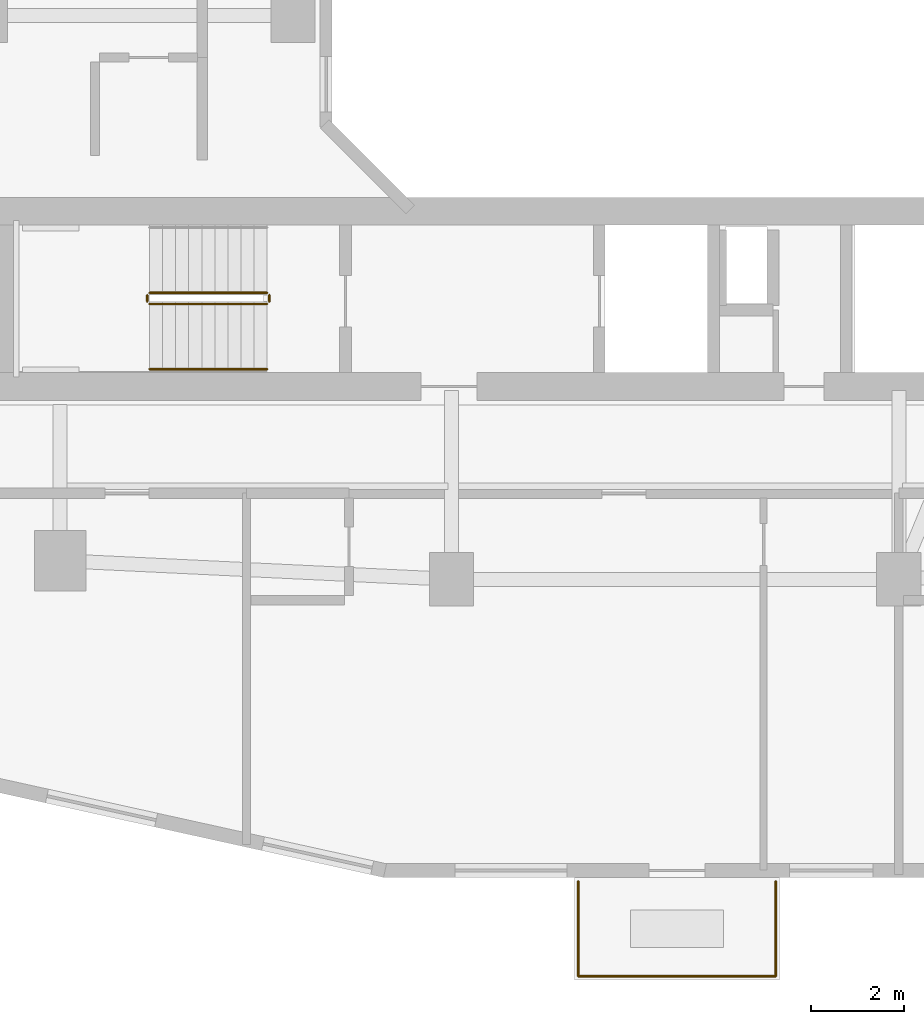
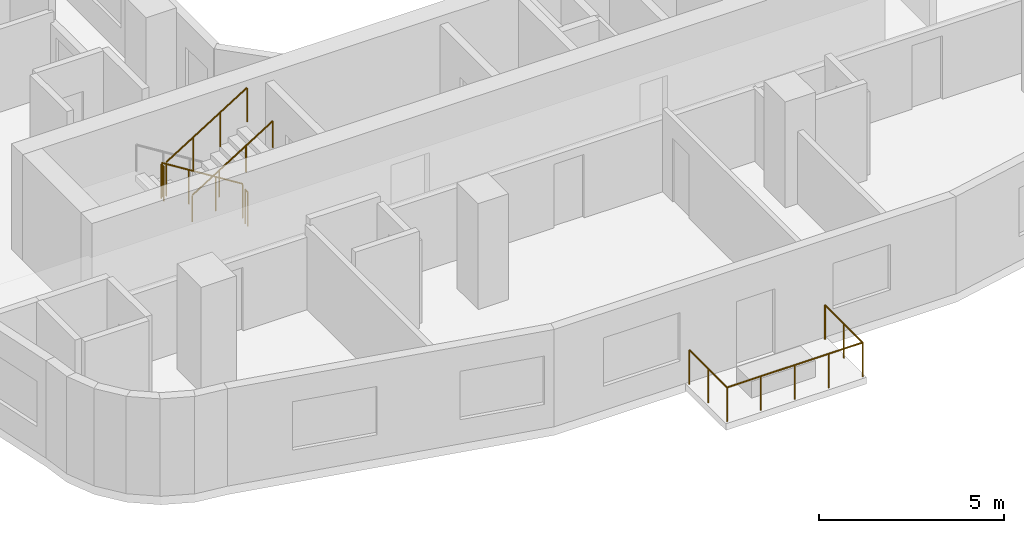
# One storey, part 18 of 22: 8 railings.
"""IFC4 building model written with IfcOpenShell, lengths in metres."""

from ifc_helpers import new_model, si_unit, derived_unit, direction, frame, origin, origin_2d, place, context, subcontext, project, spatial, circle, extrude, material, type_object, element, save


model = new_model("IFC4")

# Units and contexts
model_context = context("Model", 3, precision=1e-05, world=origin(), true_north=direction((0.0, 1.0)))
body_context = subcontext(model_context, "Body", "Model", "MODEL_VIEW")
ifc_project = project(units=[si_unit("LENGTHUNIT", "METRE"), si_unit("AREAUNIT", "SQUARE_METRE"), si_unit("VOLUMEUNIT", "CUBIC_METRE"), si_unit("PLANEANGLEUNIT", "RADIAN"), si_unit("MASSUNIT", "GRAM", prefix="KILO"), derived_unit("THERMALTRANSMITTANCEUNIT", [(si_unit("POWERUNIT", "WATT"), 1), (si_unit("LENGTHUNIT", "METRE"), -2), (si_unit("THERMODYNAMICTEMPERATUREUNIT", "KELVIN"), -1)])], contexts=[model_context])

# Site, building, storey
site_placement = place(None, origin())
site = spatial("IfcSite", under=ifc_project, at=site_placement, CompositionType="ELEMENT")
building_placement = place(site_placement, origin())
building = spatial("IfcBuilding", under=site, at=building_placement, Name="Kivonza Crest Hotel", CompositionType="ELEMENT")
storey_placement = place(building_placement, frame((0.0, 0.0, 48.5)))
storey = spatial("IfcBuildingStorey", under=building, at=storey_placement, Name="L12", CompositionType="ELEMENT", Elevation=48.5)

# Railings
ifc_material_1 = material(Name="Brushed stainless steel handrail", Category="steel")
railing_type_1 = type_object("IfcRailingType", Name="RL-HAND-900", PredefinedType="HANDRAIL", material=ifc_material_1)
railing_1_placement = place(storey_placement, frame((9.719970703125, 13.909912109375, 1.925048828125)))
element("IfcRailing", 1, at=railing_1_placement, inside=storey, type_object=railing_type_1, Name="L12 ST-T1-S stair handrail 2", PredefinedType="HANDRAIL", context=body_context, shape_type="SweptSolid", body=[
    extrude(circle(Radius=0.02392578125, at=origin_2d()), frame((0.0, 0.0, 0.8759765625), z_axis=(0.848007534815, 0.0, 0.529984170421), x_axis=(0.0, 1.0, 0.0)), (0.0, 0.0, 1.0), 2.9716796875),
    extrude(circle(Radius=0.02099609375, at=origin_2d()), origin(), (0.0, 0.0, 1.0), 0.851806640625),
    extrude(circle(Radius=0.02099609375, at=origin_2d()), frame((0.840087890625, 0.0, 0.52490234375)), (0.0, 0.0, 1.0), 0.851806640625),
    extrude(circle(Radius=0.02099609375, at=origin_2d()), frame((1.679931640625, 0.0, 1.050048828125)), (0.0, 0.0, 1.0), 0.851806640625),
    extrude(circle(Radius=0.02099609375, at=origin_2d()), frame((2.52001953125, 0.0, 1.574951171875)), (0.0, 0.0, 1.0), 0.851806640625),
])
ifc_material_2 = material(Name="Painted steel balustrade", Category="steel")
railing_type_2 = type_object("IfcRailingType", Name="RL-STAIR-1150", PredefinedType="BALUSTRADE", material=ifc_material_2)
railing_2_placement = place(storey_placement, frame((12.239990234375, 15.550048828125, 0.175048828125)))
element("IfcRailing", 2, at=railing_2_placement, inside=storey, type_object=railing_type_2, Name="L12 ST-T1-S stair guard 1", PredefinedType="BALUSTRADE", context=body_context, shape_type="SweptSolid", body=[
    extrude(circle(Radius=0.02392578125, at=origin_2d()), frame((0.0, 0.0, 1.1259765625), z_axis=(-0.848007534815, 0.0, 0.529984170421), x_axis=(0.0, -1.0, 0.0)), (0.0, 0.0, 1.0), 2.9716796875),
    extrude(circle(Radius=0.02099609375, at=origin_2d()), origin(), (0.0, 0.0, 1.0), 1.101806640625),
    extrude(circle(Radius=0.02099609375, at=origin_2d()), frame((-0.840087890625, 0.0, 0.52490234375)), (0.0, 0.0, 1.0), 1.101806640625),
    extrude(circle(Radius=0.02099609375, at=origin_2d()), frame((-1.679931640625, 0.0, 1.050048828125)), (0.0, 0.0, 1.0), 1.101806640625),
    extrude(circle(Radius=0.02099609375, at=origin_2d()), frame((-2.52001953125, 0.0, 1.574951171875)), (0.0, 0.0, 1.0), 1.101806640625),
])
railing_3_placement = place(storey_placement, frame((9.669921875, 15.5, 1.75)))
element("IfcRailing", 3, at=railing_3_placement, inside=storey, type_object=railing_type_2, Name="L12 ST-T1-S stair guard 2", PredefinedType="BALUSTRADE", context=body_context, shape_type="SweptSolid", body=[
    extrude(circle(Radius=0.02392578125, at=origin_2d()), frame((0.0, 0.0, 1.1259765625), z_axis=(0.0, -1.0, 0.0), x_axis=(1.0, 0.0, 0.0)), (0.0, 0.0, 1.0), 0.139892578125),
    extrude(circle(Radius=0.02099609375, at=origin_2d()), origin(), (0.0, 0.0, 1.0), 1.101806640625),
    extrude(circle(Radius=0.02099609375, at=origin_2d()), frame((0.0, -0.139892578125, 0.0)), (0.0, 0.0, 1.0), 1.101806640625),
])
railing_4_placement = place(storey_placement, frame((9.719970703125, 15.31005859375, 1.925048828125)))
element("IfcRailing", 4, at=railing_4_placement, inside=storey, type_object=railing_type_2, Name="L12 ST-T1-S stair guard 3", PredefinedType="BALUSTRADE", context=body_context, shape_type="SweptSolid", body=[
    extrude(circle(Radius=0.02392578125, at=origin_2d()), frame((0.0, 0.0, 1.1259765625), z_axis=(0.848007534815, 0.0, 0.529984170421), x_axis=(0.0, 1.0, 0.0)), (0.0, 0.0, 1.0), 2.9716796875),
    extrude(circle(Radius=0.02099609375, at=origin_2d()), origin(), (0.0, 0.0, 1.0), 1.101806640625),
    extrude(circle(Radius=0.02099609375, at=origin_2d()), frame((0.840087890625, 0.0, 0.52490234375)), (0.0, 0.0, 1.0), 1.101806640625),
    extrude(circle(Radius=0.02099609375, at=origin_2d()), frame((1.679931640625, 0.0, 1.050048828125)), (0.0, 0.0, 1.0), 1.101806640625),
    extrude(circle(Radius=0.02099609375, at=origin_2d()), frame((2.52001953125, 0.0, 1.574951171875)), (0.0, 0.0, 1.0), 1.101806640625),
])
railing_5_placement = place(storey_placement, frame((12.2900390625, 15.5, 0.0)))
element("IfcRailing", 5, at=railing_5_placement, inside=storey, type_object=railing_type_2, Name="L12 ST-T1-S stair guard 4", PredefinedType="BALUSTRADE", context=body_context, shape_type="SweptSolid", body=[
    extrude(circle(Radius=0.02392578125, at=origin_2d()), frame((0.0, 0.0, 1.1259765625), z_axis=(0.0, -1.0, 0.0), x_axis=(1.0, 0.0, 0.0)), (0.0, 0.0, 1.0), 0.139892578125),
    extrude(circle(Radius=0.02099609375, at=origin_2d()), origin(), (0.0, 0.0, 1.0), 1.101806640625),
    extrude(circle(Radius=0.02099609375, at=origin_2d()), frame((0.0, -0.139892578125, 0.0)), (0.0, 0.0, 1.0), 1.101806640625),
])
ifc_material_3 = material(Name="Laminated glass and stainless steel balustrade", Category="steel")
railing_type_3 = type_object("IfcRailingType", Name="RL-TERR-1150", PredefinedType="BALUSTRADE", material=ifc_material_3)
railing_6_placement = place(storey_placement, frame((18.919921875, 0.8798828125, 0.0)))
element("IfcRailing", 6, at=railing_6_placement, inside=storey, type_object=railing_type_3, Name="L12 T1-L12-SG-SW perimeter safety balustrade 1", PredefinedType="BALUSTRADE", context=body_context, shape_type="SweptSolid", body=[
    extrude(circle(Radius=0.02392578125, at=origin_2d()), frame((0.0, 0.0, 1.1259765625), z_axis=(0.0, 1.0, 0.0), x_axis=(-1.0, 0.0, 0.0)), (0.0, 0.0, 1.0), 2.0400390625),
    extrude(circle(Radius=0.02099609375, at=origin_2d()), origin(), (0.0, 0.0, 1.0), 1.101806640625),
    extrude(circle(Radius=0.02099609375, at=origin_2d()), frame((0.0, 1.02001953125, 0.0)), (0.0, 0.0, 1.0), 1.101806640625),
    extrude(circle(Radius=0.02099609375, at=origin_2d()), frame((0.0, 2.0400390625, 0.0)), (0.0, 0.0, 1.0), 1.101806640625),
])
railing_7_placement = place(storey_placement, frame((23.159912109375, 2.919921875, 0.0)))
element("IfcRailing", 7, at=railing_7_placement, inside=storey, type_object=railing_type_3, Name="L12 T1-L12-SG-SW perimeter safety balustrade 2", PredefinedType="BALUSTRADE", context=body_context, shape_type="SweptSolid", body=[
    extrude(circle(Radius=0.02392578125, at=origin_2d()), frame((0.0, 0.0, 1.1259765625), z_axis=(0.0, -1.0, 0.0), x_axis=(1.0, 0.0, 0.0)), (0.0, 0.0, 1.0), 2.0400390625),
    extrude(circle(Radius=0.02099609375, at=origin_2d()), origin(), (0.0, 0.0, 1.0), 1.101806640625),
    extrude(circle(Radius=0.02099609375, at=origin_2d()), frame((0.0, -1.02001953125, 0.0)), (0.0, 0.0, 1.0), 1.101806640625),
    extrude(circle(Radius=0.02099609375, at=origin_2d()), frame((0.0, -2.0400390625, 0.0)), (0.0, 0.0, 1.0), 1.101806640625),
])
railing_8_placement = place(storey_placement, frame((23.159912109375, 0.8798828125, 0.0)))
element("IfcRailing", 8, at=railing_8_placement, inside=storey, type_object=railing_type_3, Name="L12 T1-L12-SG-SW perimeter safety balustrade 3", PredefinedType="BALUSTRADE", context=body_context, shape_type="SweptSolid", body=[
    extrude(circle(Radius=0.02392578125, at=origin_2d()), frame((0.0, 0.0, 1.1259765625), z_axis=(-1.0, 0.0, 0.0), x_axis=(0.0, -1.0, 0.0)), (0.0, 0.0, 1.0), 4.239990234375),
    extrude(circle(Radius=0.02099609375, at=origin_2d()), origin(), (0.0, 0.0, 1.0), 1.101806640625),
    extrude(circle(Radius=0.02099609375, at=origin_2d()), frame((-1.06005859375, 0.0, 0.0)), (0.0, 0.0, 1.0), 1.101806640625),
    extrude(circle(Radius=0.02099609375, at=origin_2d()), frame((-2.1201171875, 0.0, 0.0)), (0.0, 0.0, 1.0), 1.101806640625),
    extrude(circle(Radius=0.02099609375, at=origin_2d()), frame((-3.179931640625, 0.0, 0.0)), (0.0, 0.0, 1.0), 1.101806640625),
    extrude(circle(Radius=0.02099609375, at=origin_2d()), frame((-4.239990234375, 0.0, 0.0)), (0.0, 0.0, 1.0), 1.101806640625),
])

save(model, "model.ifc")
